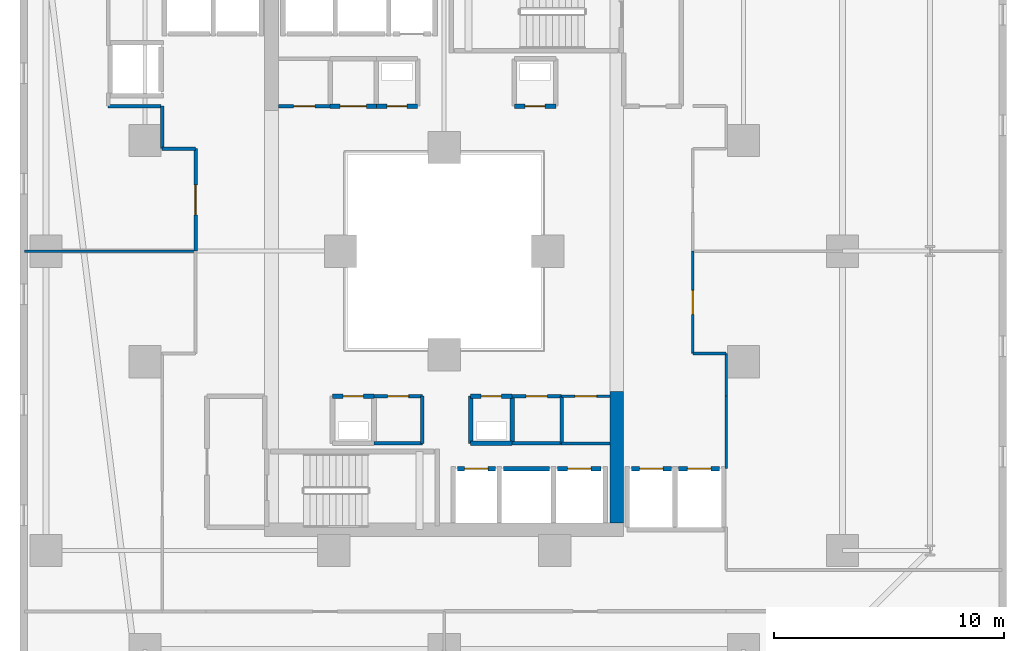
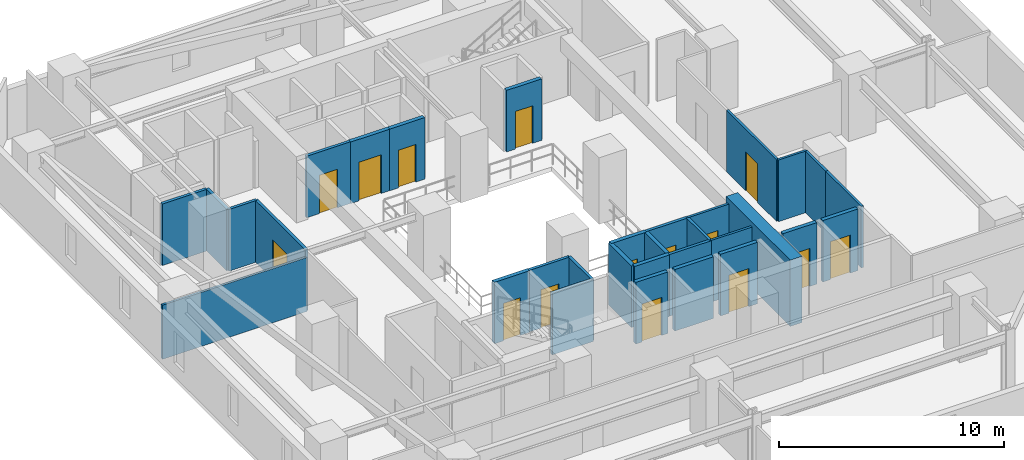
# One storey, part 21 of 34: 32 walls, 15 doors, 15 openings.
"""IFC4 building model written with IfcOpenShell, lengths in metres."""

import ifcopenshell
import ifcopenshell.guid

model = None  # the IFC model being written
_history = None  # IfcOwnerHistory: only IFC2X3 demands one
_inside = {}  # id of a spatial element -> (the spatial element, [elements in it])
_under = {}  # id of a project, library or spatial element -> (it, [spatial elements below it])
_declared = {}  # id of a project -> (the project, [libraries it declares])
_typed = {}  # id of a type object -> (the type object, [elements of that type])
_made_of = {}  # id of a material, layer set ... -> (it, [elements and type objects made of it])


def new_model(schema):
    """Start an empty IFC model of exactly this schema.

    Asked for "IFC4X3", IfcOpenShell would pick the latest addendum, in which some entities
    have other attributes; the version numbers below select the first issue.
    IFC2X3 requires an IfcOwnerHistory on every rooted entity: one is made here for all.
    """
    global model, _history
    if schema == "IFC4X3":
        model = ifcopenshell.file(schema_version=(4, 3, 0, 0))
    else:
        model = ifcopenshell.file(schema=schema)
    _inside.clear()
    _under.clear()
    _declared.clear()
    _typed.clear()
    _made_of.clear()
    _history = None
    if model.schema == "IFC2X3":
        org = make("IfcOrganization", Name="unknown")
        user = make(
            "IfcPersonAndOrganization",
            ThePerson=make("IfcPerson", FamilyName="unknown"),
            TheOrganization=org,
        )
        app = make(
            "IfcApplication",
            ApplicationDeveloper=org,
            Version="unknown",
            ApplicationFullName="unknown",
            ApplicationIdentifier="unknown",
        )
        _history = make(
            "IfcOwnerHistory",
            OwningUser=user,
            OwningApplication=app,
            ChangeAction="ADDED",
            CreationDate=0,
        )
    return model


def make(cls, **values):
    """One entity of the class cls with the attributes given. An attribute that is None is left unset."""
    return model.create_entity(
        cls, **{name: value for name, value in values.items() if value is not None}
    )


def rooted(cls, **values):
    """An entity with a GlobalId (a new one), such as an element, a storey or a relation."""
    return make(cls, GlobalId=ifcopenshell.guid.new(), OwnerHistory=_history, **values)


def si_unit(unit_type, name, prefix=None):
    """IfcSIUnit, for example si_unit("LENGTHUNIT", "METRE", prefix="MILLI")."""
    return make("IfcSIUnit", UnitType=unit_type, Prefix=prefix, Name=name)


def assignment(units):
    """IfcUnitAssignment: the units of a project."""
    return None if units is None else make("IfcUnitAssignment", Units=units)


def point(xyz):
    """IfcCartesianPoint."""
    return None if xyz is None else make("IfcCartesianPoint", Coordinates=xyz)


def direction(xyz):
    """IfcDirection."""
    return None if xyz is None else make("IfcDirection", DirectionRatios=xyz)


def frame(location, z_axis=None, x_axis=None):
    """IfcAxis2Placement3D, a coordinate frame: its origin and axes. An axis left out is left unset."""
    return make(
        "IfcAxis2Placement3D",
        Location=point(location),
        Axis=direction(z_axis),
        RefDirection=direction(x_axis),
    )


def frame_2d(location, x_axis=None):
    """IfcAxis2Placement2D, a coordinate frame in the plane: its origin and x axis."""
    return make(
        "IfcAxis2Placement2D", Location=point(location), RefDirection=direction(x_axis)
    )


def origin():
    """The frame at (0, 0, 0) with its axes left unset."""
    return frame((0.0, 0.0, 0.0))


def place(relative_to, where):
    """IfcLocalPlacement: puts the frame where relative to a parent placement (None: the world)."""
    return make(
        "IfcLocalPlacement", PlacementRelTo=relative_to, RelativePlacement=where
    )


def context(
    kind, dimensions, precision=None, world=None, true_north=None, identifier=None
):
    """IfcGeometricRepresentationContext, for example the 3D "Model" context."""
    return make(
        "IfcGeometricRepresentationContext",
        ContextIdentifier=identifier,
        ContextType=kind,
        CoordinateSpaceDimension=dimensions,
        Precision=precision,
        WorldCoordinateSystem=world,
        TrueNorth=true_north,
    )


def subcontext(parent, identifier, kind, view, scale=None):
    """IfcGeometricRepresentationSubContext, for example "Body" below "Model"."""
    return make(
        "IfcGeometricRepresentationSubContext",
        ContextIdentifier=identifier,
        ContextType=kind,
        ParentContext=parent,
        TargetScale=scale,
        TargetView=view,
    )


def project(units=None, contexts=None):
    """IfcProject with its units and contexts."""
    return rooted(
        "IfcProject",
        Name="project",
        RepresentationContexts=contexts,
        UnitsInContext=assignment(units),
    )


def spatial(cls, under=None, at=None, **own):
    """A site, building, storey or space (cls), placed at a placement, below another one or the project."""
    s = rooted(cls, ObjectPlacement=at, **own)
    if under is not None:
        _under.setdefault(under.id(), (under, []))[1].append(s)
    return s


def profile(cls, at=None, kind="AREA", **sizes):
    """A parametric profile (cls). Its sizes go by their IFC names, for example OverallWidth=200.0."""
    return make(cls, ProfileType=kind, Position=at, **sizes)


def rectangle(**sizes):
    """IfcRectangleProfileDef."""
    return profile("IfcRectangleProfileDef", **sizes)


def extrude(swept, where, along, depth):
    """IfcExtrudedAreaSolid: the profile swept, set in the frame where, extruded along a direction by depth."""
    return make(
        "IfcExtrudedAreaSolid",
        SweptArea=swept,
        Position=where,
        ExtrudedDirection=direction(along),
        Depth=depth,
    )


def shape(context_of_items, identifier, shape_type, items):
    """IfcShapeRepresentation: the items that make up one representation, for example the "Body"."""
    return make(
        "IfcShapeRepresentation",
        ContextOfItems=context_of_items,
        RepresentationIdentifier=identifier,
        RepresentationType=shape_type,
        Items=items,
    )


def material(Name=None, Category=None):
    """IfcMaterial."""
    return make("IfcMaterial", Name=Name, Category=Category)


def layer(
    of_material, thickness, ventilated=None, Name=None, Category=None, Priority=None
):
    """IfcMaterialLayer: one layer of a wall or slab, of a material (None: an air gap)."""
    return make(
        "IfcMaterialLayer",
        Material=of_material,
        LayerThickness=thickness,
        IsVentilated=ventilated,
        Name=Name,
        Category=Category,
        Priority=Priority,
    )


def layer_set(layers, Name=None):
    """IfcMaterialLayerSet."""
    return make("IfcMaterialLayerSet", MaterialLayers=layers, LayerSetName=Name)


def made_of(thing, what):
    """Note that an element or type object is made of a material, layer set ...; save() writes the relation."""
    if what is not None:
        _made_of.setdefault(what.id(), (what, []))[1].append(thing)
    return thing


def type_object(cls, material=None, **own):
    """A type object (cls), such as IfcWallType, which elements share."""
    return made_of(rooted(cls, **own), material)


def element(
    cls,
    number,
    at=None,
    inside=None,
    cuts=None,
    type_object=None,
    material=None,
    context=None,
    identifier="Body",
    shape_type=None,
    held_by="IfcProductDefinitionShape",
    body=None,
    shapes=None,
    **own,
):
    """One element of the class cls, such as IfcWall. Its Tag is "e" and its number.

    at: its placement. inside: the storey or other place that contains it. cuts: it is an
    opening in that element (IfcRelVoidsElement). A single representation is given by context,
    identifier, shape_type and body (its items); several are given by shapes. held_by: the class
    of the entity that holds the representations. save() writes the other relations.
    """
    e = rooted(cls, Tag="e%d" % number, ObjectPlacement=at, **own)
    if body is not None:
        shapes = [shape(context, identifier, shape_type, body)]
    if shapes is not None:
        e.Representation = make(held_by, Representations=shapes)
    if inside is not None:
        _inside.setdefault(inside.id(), (inside, []))[1].append(e)
    if cuts is not None:
        rooted(
            "IfcRelVoidsElement", RelatingBuildingElement=cuts, RelatedOpeningElement=e
        )
    if type_object is not None:
        _typed.setdefault(type_object.id(), (type_object, []))[1].append(e)
    return made_of(e, material)


def fill(opening, filler):
    """IfcRelFillsElement: the door or window that sits in an opening."""
    return rooted(
        "IfcRelFillsElement",
        RelatingOpeningElement=opening,
        RelatedBuildingElement=filler,
    )


def aggregate(whole, parts):
    """IfcRelAggregates: a whole, such as a stair, and the parts it consists of."""
    return rooted("IfcRelAggregates", RelatingObject=whole, RelatedObjects=parts)


def save(model, path):
    """Write the relations noted so far, then the file.

    IfcRelAggregates (storeys below a building ...), IfcRelContainedInSpatialStructure (elements
    in a storey), IfcRelDefinesByType, IfcRelAssociatesMaterial and IfcRelDeclares: one each for
    every whole, place, type object, material and project.
    """
    for whole, parts in _under.values():
        aggregate(whole, parts)
    for where, things in _inside.values():
        rooted(
            "IfcRelContainedInSpatialStructure",
            RelatedElements=things,
            RelatingStructure=where,
        )
    for kind, things in _typed.values():
        rooted("IfcRelDefinesByType", RelatedObjects=things, RelatingType=kind)
    for what, things in _made_of.values():
        rooted("IfcRelAssociatesMaterial", RelatedObjects=things, RelatingMaterial=what)
    for by, libraries in _declared.values():
        rooted("IfcRelDeclares", RelatingContext=by, RelatedDefinitions=libraries)
    model.write(path)


model = new_model("IFC4")

# Units and contexts
model_context = context("Model", 3, precision=1e-05, world=origin(), true_north=direction((0.0, 1.0)))
body_context = subcontext(model_context, "Body", "Model", "MODEL_VIEW")
ifc_project = project(units=[si_unit("LENGTHUNIT", "METRE"), si_unit("AREAUNIT", "SQUARE_METRE"), si_unit("VOLUMEUNIT", "CUBIC_METRE"), si_unit("PLANEANGLEUNIT", "RADIAN"), si_unit("MASSUNIT", "GRAM", prefix="KILO")], contexts=[model_context])

# Site, building, storey
site_placement = place(None, origin())
site = spatial("IfcSite", under=ifc_project, at=site_placement, CompositionType="ELEMENT")
building_placement = place(site_placement, origin())
building = spatial("IfcBuilding", under=site, at=building_placement, Name="Thornwick Lancets Civic Towers", CompositionType="ELEMENT")
storey_placement = place(building_placement, frame((0.0, 0.0, 53.699951171875)))
storey = spatial("IfcBuildingStorey", under=building, at=storey_placement, Name="L13", CompositionType="ELEMENT", Elevation=53.699951171875)

# Wall, opening, door
ifc_material_1 = material(Name="Concrete blockwork C40/50", Category="masonry")
ifc_layer_1 = layer(ifc_material_1, 0.199951171875, Name="Concrete blockwork C40/50")
ifc_layer_set_1 = layer_set([ifc_layer_1], Name="Concrete blockwork C40/50")
wall_type_1 = type_object("IfcWallType", Name="WALL_COMP_200", PredefinedType="STANDARD", material=ifc_layer_set_1)
wall_1_placement = place(storey_placement, frame((26.080078125, 17.550048828125, 0.0), z_axis=(0.0, 0.0, 1.0), x_axis=(1.0, 0.0, 0.0)))
wall_1 = element("IfcWall", 1, at=wall_1_placement, inside=storey, type_object=wall_type_1, Name="L13 Hoistway Front Wall FL-A1", PredefinedType="STANDARD", context=body_context, shape_type="SweptSolid", body=[
    extrude(rectangle(XDim=1.639892578125, YDim=0.199951171875, at=frame_2d((0.81982421875, 0.0))), origin(), (0.0, 0.0, 1.0), 3.340087890625),
])
opening_1_placement = place(wall_1_placement, frame((0.31005859375, 0.0, 0.0)))
opening_1 = element("IfcOpeningElement", 2, at=opening_1_placement, cuts=wall_1, Name="Opening LD-FL-A1", PredefinedType="OPENING", context=body_context, shape_type="SweptSolid", body=[
    extrude(rectangle(XDim=1.02001953125, YDim=2.06005859375, at=frame_2d((0.510009765625, 1.030029296875))), frame((0.0, 0.10986328125, 0.0), z_axis=(0.0, -1.0, 0.0), x_axis=(1.0, 0.0, 0.0)), (0.0, 0.0, 1.0), 0.219970703125),
])
ifc_material_2 = material(Name="Brushed bronze stainless steel", Category="steel")
door_type_1 = type_object("IfcDoorType", Name="DOOR_LIFT_SLIDE", OperationType="SLIDING_TO_LEFT", PredefinedType="DOOR", material=ifc_material_2)
door_1_placement = place(opening_1_placement, origin())
door_1 = element("IfcDoor", 3, at=door_1_placement, inside=storey, type_object=door_type_1, Name="L13 Sliding Lift Landing Door LD-FL-A1", OperationType="SLIDING_TO_LEFT", OverallHeight=2.06005859375, OverallWidth=1.02001953125, PredefinedType="DOOR", context=body_context, shape_type="SweptSolid", body=[
    extrude(rectangle(XDim=1.02001953125, YDim=2.06005859375, at=frame_2d((0.510009765625, 1.030029296875))), frame((0.0, 0.02490234375, 0.0), z_axis=(0.0, -1.0, 0.0), x_axis=(1.0, 0.0, 0.0)), (0.0, 0.0, 1.0), 0.050048828125),
])
fill(opening_1, door_1)

# Wall
wall_2_placement = place(storey_placement, frame((28.080078125, 17.550048828125, 0.0), z_axis=(0.0, 0.0, 1.0), x_axis=(1.0, 0.0, 0.0)))
element("IfcWall", 4, at=wall_2_placement, inside=storey, type_object=wall_type_1, Name="L13 Hoistway Front Wall PL-AH1", PredefinedType="STANDARD", context=body_context, shape_type="SweptSolid", body=[
    extrude(rectangle(XDim=1.989990234375, YDim=0.199951171875, at=frame_2d((0.9951171875, 0.0))), origin(), (0.0, 0.0, 1.0), 3.340087890625),
])

# Wall, opening, door
wall_3_placement = place(storey_placement, frame((30.429931640625, 17.550048828125, 0.0), z_axis=(0.0, 0.0, 1.0), x_axis=(1.0, 0.0, 0.0)))
wall_3 = element("IfcWall", 5, at=wall_3_placement, inside=storey, type_object=wall_type_1, Name="L13 Hoistway Front Wall PL-AL1", PredefinedType="STANDARD", context=body_context, shape_type="SweptSolid", body=[
    extrude(rectangle(XDim=1.89013671875, YDim=0.199951171875, at=frame_2d((0.945068359375, 0.0))), origin(), (0.0, 0.0, 1.0), 3.340087890625),
])
opening_2_placement = place(wall_3_placement, frame((0.43505859375, 0.0, 0.0)))
opening_2 = element("IfcOpeningElement", 6, at=opening_2_placement, cuts=wall_3, Name="Opening LD-PL-AL1", PredefinedType="OPENING", context=body_context, shape_type="SweptSolid", body=[
    extrude(rectangle(XDim=1.02001953125, YDim=2.06005859375, at=frame_2d((0.510009765625, 1.030029296875))), frame((0.0, 0.10986328125, 0.0), z_axis=(0.0, -1.0, 0.0), x_axis=(1.0, 0.0, 0.0)), (0.0, 0.0, 1.0), 0.219970703125),
])
door_2_placement = place(opening_2_placement, origin())
door_2 = element("IfcDoor", 7, at=door_2_placement, inside=storey, type_object=door_type_1, Name="L13 Sliding Lift Landing Door LD-PL-AL1", OperationType="SLIDING_TO_LEFT", OverallHeight=2.06005859375, OverallWidth=1.02001953125, PredefinedType="DOOR", context=body_context, shape_type="SweptSolid", body=[
    extrude(rectangle(XDim=1.02001953125, YDim=2.06005859375, at=frame_2d((0.510009765625, 1.030029296875))), frame((0.0, 0.02490234375, 0.0), z_axis=(0.0, -1.0, 0.0), x_axis=(1.0, 0.0, 0.0)), (0.0, 0.0, 1.0), 0.050048828125),
])
fill(opening_2, door_2)

wall_4_placement = place(storey_placement, frame((33.6298828125, 17.550048828125, 0.0), z_axis=(0.0, 0.0, 1.0), x_axis=(1.0, 0.0, 0.0)))
wall_4 = element("IfcWall", 8, at=wall_4_placement, inside=storey, type_object=wall_type_1, Name="L13 Hoistway Front Wall PL-AL2", PredefinedType="STANDARD", context=body_context, shape_type="SweptSolid", body=[
    extrude(rectangle(XDim=1.740234375, YDim=0.199951171875, at=frame_2d((0.8701171875, 0.0))), origin(), (0.0, 0.0, 1.0), 3.340087890625),
])
opening_3_placement = place(wall_4_placement, frame((0.360107421875, 0.0, 0.0)))
opening_3 = element("IfcOpeningElement", 9, at=opening_3_placement, cuts=wall_4, Name="Opening LD-PL-AL2", PredefinedType="OPENING", context=body_context, shape_type="SweptSolid", body=[
    extrude(rectangle(XDim=1.02001953125, YDim=2.06005859375, at=frame_2d((0.510009765625, 1.030029296875))), frame((0.0, 0.10986328125, 0.0), z_axis=(0.0, -1.0, 0.0), x_axis=(1.0, 0.0, 0.0)), (0.0, 0.0, 1.0), 0.219970703125),
])
door_3_placement = place(opening_3_placement, origin())
door_3 = element("IfcDoor", 10, at=door_3_placement, inside=storey, type_object=door_type_1, Name="L13 Sliding Lift Landing Door LD-PL-AL2", OperationType="SLIDING_TO_LEFT", OverallHeight=2.06005859375, OverallWidth=1.02001953125, PredefinedType="DOOR", context=body_context, shape_type="SweptSolid", body=[
    extrude(rectangle(XDim=1.02001953125, YDim=2.06005859375, at=frame_2d((0.510009765625, 1.030029296875))), frame((0.0, 0.02490234375, 0.0), z_axis=(0.0, -1.0, 0.0), x_axis=(1.0, 0.0, 0.0)), (0.0, 0.0, 1.0), 0.050048828125),
])
fill(opening_3, door_3)

wall_5_placement = place(storey_placement, frame((35.679931640625, 17.550048828125, 0.0), z_axis=(0.0, 0.0, 1.0), x_axis=(1.0, 0.0, 0.0)))
wall_5 = element("IfcWall", 11, at=wall_5_placement, inside=storey, type_object=wall_type_1, Name="L13 Hoistway Front Wall PL-AL3", PredefinedType="STANDARD", context=body_context, shape_type="SweptSolid", body=[
    extrude(rectangle(XDim=1.7900390625, YDim=0.199951171875, at=frame_2d((0.89501953125, 0.0))), origin(), (0.0, 0.0, 1.0), 3.340087890625),
])
opening_4_placement = place(wall_5_placement, frame((0.385009765625, 0.0, 0.0)))
opening_4 = element("IfcOpeningElement", 12, at=opening_4_placement, cuts=wall_5, Name="Opening LD-PL-AL3", PredefinedType="OPENING", context=body_context, shape_type="SweptSolid", body=[
    extrude(rectangle(XDim=1.02001953125, YDim=2.06005859375, at=frame_2d((0.510009765625, 1.030029296875))), frame((0.0, 0.10986328125, 0.0), z_axis=(0.0, -1.0, 0.0), x_axis=(1.0, 0.0, 0.0)), (0.0, 0.0, 1.0), 0.219970703125),
])
door_4_placement = place(opening_4_placement, origin())
door_4 = element("IfcDoor", 13, at=door_4_placement, inside=storey, type_object=door_type_1, Name="L13 Sliding Lift Landing Door LD-PL-AL3", OperationType="SLIDING_TO_LEFT", OverallHeight=2.06005859375, OverallWidth=1.02001953125, PredefinedType="DOOR", context=body_context, shape_type="SweptSolid", body=[
    extrude(rectangle(XDim=1.02001953125, YDim=2.06005859375, at=frame_2d((0.510009765625, 1.030029296875))), frame((0.0, 0.02490234375, 0.0), z_axis=(0.0, -1.0, 0.0), x_axis=(1.0, 0.0, 0.0)), (0.0, 0.0, 1.0), 0.050048828125),
])
fill(opening_4, door_4)

# Walls
wall_6_placement = place(storey_placement, frame((26.64990234375, 18.64990234375, 0.0), z_axis=(0.0, 0.0, 1.0), x_axis=(1.0, 0.0, 0.0)))
element("IfcWall", 14, at=wall_6_placement, inside=storey, type_object=wall_type_1, Name="L13 Partition L13-A-DUCT1 E1", PredefinedType="STANDARD", context=body_context, shape_type="SweptSolid", body=[
    extrude(rectangle(XDim=1.800048828125, YDim=0.199951171875, at=frame_2d((0.89990234375, 0.0))), origin(), (0.0, 0.0, 1.0), 3.340087890625),
])
wall_7_placement = place(storey_placement, frame((28.449951171875, 18.64990234375, 0.0), z_axis=(0.0, 0.0, 1.0), x_axis=(0.0, 1.0, 0.0)))
element("IfcWall", 15, at=wall_7_placement, inside=storey, type_object=wall_type_1, Name="L13 Partition L13-A-DUCT1 E2", PredefinedType="STANDARD", context=body_context, shape_type="SweptSolid", body=[
    extrude(rectangle(XDim=2.050048828125, YDim=0.199951171875, at=frame_2d((1.02490234375, 0.0))), origin(), (0.0, 0.0, 1.0), 3.340087890625),
])

# Wall, opening, door
wall_8_placement = place(storey_placement, frame((28.449951171875, 20.699951171875, 0.0), z_axis=(0.0, 0.0, 1.0), x_axis=(-1.0, 0.0, 0.0)))
wall_8 = element("IfcWall", 16, at=wall_8_placement, inside=storey, type_object=wall_type_1, Name="L13 Partition L13-A-DUCT1 E3", PredefinedType="STANDARD", context=body_context, shape_type="SweptSolid", body=[
    extrude(rectangle(XDim=1.800048828125, YDim=0.199951171875, at=frame_2d((0.89990234375, 0.0))), origin(), (0.0, 0.0, 1.0), 3.340087890625),
])
opening_5_placement = place(wall_8_placement, frame((0.4599609375, 0.0, 0.0)))
opening_5 = element("IfcOpeningElement", 17, at=opening_5_placement, cuts=wall_8, Name="Opening D-L13-0627", PredefinedType="OPENING", context=body_context, shape_type="SweptSolid", body=[
    extrude(rectangle(XDim=0.8798828125, YDim=2.0400390625, at=frame_2d((0.43994140625, 1.02001953125))), frame((0.0, 0.10986328125, 0.0), z_axis=(0.0, -1.0, 0.0), x_axis=(1.0, 0.0, 0.0)), (0.0, 0.0, 1.0), 0.219970703125),
])
ifc_material_3 = material(Name="Steel riser access doorset", Category="steel")
door_type_2 = type_object("IfcDoorType", Name="DOOR_RISER_850", OperationType="NOTDEFINED", PredefinedType="DOOR", material=ifc_material_3)
door_5_placement = place(opening_5_placement, origin())
door_5 = element("IfcDoor", 18, at=door_5_placement, inside=storey, type_object=door_type_2, Name="L13 South Service Duct 1 Door", OperationType="SINGLE_SWING_RIGHT", OverallHeight=2.0400390625, OverallWidth=0.8798828125, PredefinedType="DOOR", context=body_context, shape_type="SweptSolid", body=[
    extrude(rectangle(XDim=0.8798828125, YDim=2.0400390625, at=frame_2d((0.43994140625, 1.02001953125))), frame((0.0, 0.02490234375, 0.0), z_axis=(0.0, -1.0, 0.0), x_axis=(1.0, 0.0, 0.0)), (0.0, 0.0, 1.0), 0.050048828125),
])
fill(opening_5, door_5)

# Wall
wall_9_placement = place(storey_placement, frame((26.64990234375, 20.699951171875, 0.0), z_axis=(0.0, 0.0, 1.0), x_axis=(0.0, -1.0, 0.0)))
element("IfcWall", 19, at=wall_9_placement, inside=storey, type_object=wall_type_1, Name="L13 Partition L13-A-DUCT1 E4", PredefinedType="STANDARD", context=body_context, shape_type="SweptSolid", body=[
    extrude(rectangle(XDim=2.050048828125, YDim=0.199951171875, at=frame_2d((1.02490234375, 0.0))), origin(), (0.0, 0.0, 1.0), 3.340087890625),
])

# Wall, opening, door
wall_10_placement = place(storey_placement, frame((22.449951171875, 20.699951171875, 0.0), z_axis=(0.0, 0.0, 1.0), x_axis=(-1.0, 0.0, 0.0)))
wall_10 = element("IfcWall", 20, at=wall_10_placement, inside=storey, type_object=wall_type_1, Name="L13 Partition L13-A-RISER1 E3", PredefinedType="STANDARD", context=body_context, shape_type="SweptSolid", body=[
    extrude(rectangle(XDim=1.800048828125, YDim=0.199951171875, at=frame_2d((0.89990234375, 0.0))), origin(), (0.0, 0.0, 1.0), 3.340087890625),
])
opening_6_placement = place(wall_10_placement, frame((0.4599609375, 0.0, 0.0)))
opening_6 = element("IfcOpeningElement", 21, at=opening_6_placement, cuts=wall_10, Name="Opening D-L13-0628", PredefinedType="OPENING", context=body_context, shape_type="SweptSolid", body=[
    extrude(rectangle(XDim=0.8798828125, YDim=2.0400390625, at=frame_2d((0.43994140625, 1.02001953125))), frame((0.0, 0.10986328125, 0.0), z_axis=(0.0, -1.0, 0.0), x_axis=(1.0, 0.0, 0.0)), (0.0, 0.0, 1.0), 0.219970703125),
])
door_6_placement = place(opening_6_placement, origin())
door_6 = element("IfcDoor", 22, at=door_6_placement, inside=storey, type_object=door_type_2, Name="L13 South Electrical Riser 1 Door", OperationType="SINGLE_SWING_LEFT", OverallHeight=2.0400390625, OverallWidth=0.8798828125, PredefinedType="DOOR", context=body_context, shape_type="SweptSolid", body=[
    extrude(rectangle(XDim=0.8798828125, YDim=2.0400390625, at=frame_2d((0.43994140625, 1.02001953125))), frame((0.0, 0.02490234375, 0.0), z_axis=(0.0, -1.0, 0.0), x_axis=(1.0, 0.0, 0.0)), (0.0, 0.0, 1.0), 0.050048828125),
])
fill(opening_6, door_6)

wall_11_placement = place(storey_placement, frame((22.550048828125, 33.300048828125, 0.0), z_axis=(0.0, 0.0, 1.0), x_axis=(1.0, 0.0, 0.0)))
wall_11 = element("IfcWall", 23, at=wall_11_placement, inside=storey, type_object=wall_type_1, Name="L13 Partition L13-A-DUCT2 E1", PredefinedType="STANDARD", context=body_context, shape_type="SweptSolid", body=[
    extrude(rectangle(XDim=1.800048828125, YDim=0.199951171875, at=frame_2d((0.89990234375, 0.0))), origin(), (0.0, 0.0, 1.0), 3.340087890625),
])
opening_7_placement = place(wall_11_placement, frame((0.4599609375, 0.0, 0.0)))
opening_7 = element("IfcOpeningElement", 24, at=opening_7_placement, cuts=wall_11, Name="Opening D-L13-0629", PredefinedType="OPENING", context=body_context, shape_type="SweptSolid", body=[
    extrude(rectangle(XDim=0.8798828125, YDim=2.0400390625, at=frame_2d((0.43994140625, 1.02001953125))), frame((0.0, 0.10986328125, 0.0), z_axis=(0.0, -1.0, 0.0), x_axis=(1.0, 0.0, 0.0)), (0.0, 0.0, 1.0), 0.219970703125),
])
door_7_placement = place(opening_7_placement, origin())
door_7 = element("IfcDoor", 25, at=door_7_placement, inside=storey, type_object=door_type_2, Name="L13 North Service Duct 2 Door", OperationType="SINGLE_SWING_RIGHT", OverallHeight=2.0400390625, OverallWidth=0.8798828125, PredefinedType="DOOR", context=body_context, shape_type="SweptSolid", body=[
    extrude(rectangle(XDim=0.8798828125, YDim=2.0400390625, at=frame_2d((0.43994140625, 1.02001953125))), frame((0.0, 0.02490234375, 0.0), z_axis=(0.0, -1.0, 0.0), x_axis=(1.0, 0.0, 0.0)), (0.0, 0.0, 1.0), 0.050048828125),
])
fill(opening_7, door_7)

wall_12_placement = place(storey_placement, frame((28.550048828125, 33.300048828125, 0.0), z_axis=(0.0, 0.0, 1.0), x_axis=(1.0, 0.0, 0.0)))
wall_12 = element("IfcWall", 26, at=wall_12_placement, inside=storey, type_object=wall_type_1, Name="L13 Partition L13-A-RISER2 E1", PredefinedType="STANDARD", context=body_context, shape_type="SweptSolid", body=[
    extrude(rectangle(XDim=1.800048828125, YDim=0.199951171875, at=frame_2d((0.89990234375, 0.0))), origin(), (0.0, 0.0, 1.0), 3.340087890625),
])
opening_8_placement = place(wall_12_placement, frame((0.4599609375, 0.0, 0.0)))
opening_8 = element("IfcOpeningElement", 27, at=opening_8_placement, cuts=wall_12, Name="Opening D-L13-0630", PredefinedType="OPENING", context=body_context, shape_type="SweptSolid", body=[
    extrude(rectangle(XDim=0.8798828125, YDim=2.0400390625, at=frame_2d((0.43994140625, 1.02001953125))), frame((0.0, 0.10986328125, 0.0), z_axis=(0.0, -1.0, 0.0), x_axis=(1.0, 0.0, 0.0)), (0.0, 0.0, 1.0), 0.219970703125),
])
door_8_placement = place(opening_8_placement, origin())
door_8 = element("IfcDoor", 28, at=door_8_placement, inside=storey, type_object=door_type_2, Name="L13 North Service Riser 2 Door", OperationType="SINGLE_SWING_LEFT", OverallHeight=2.0400390625, OverallWidth=0.8798828125, PredefinedType="DOOR", context=body_context, shape_type="SweptSolid", body=[
    extrude(rectangle(XDim=0.8798828125, YDim=2.0400390625, at=frame_2d((0.43994140625, 1.02001953125))), frame((0.0, 0.02490234375, 0.0), z_axis=(0.0, -1.0, 0.0), x_axis=(1.0, 0.0, 0.0)), (0.0, 0.0, 1.0), 0.050048828125),
])
fill(opening_8, door_8)

wall_13_placement = place(storey_placement, frame((22.550048828125, 33.300048828125, 0.0), z_axis=(0.0, 0.0, 1.0), x_axis=(-1.0, 0.0, 0.0)))
wall_13 = element("IfcWall", 29, at=wall_13_placement, inside=storey, type_object=wall_type_1, Name="L13 Partition L13-A-STR E4", PredefinedType="STANDARD", context=body_context, shape_type="SweptSolid", body=[
    extrude(rectangle(XDim=2.0, YDim=0.199951171875, at=frame_2d((1.0, 0.0))), origin(), (0.0, 0.0, 1.0), 3.340087890625),
])
opening_9_placement = place(wall_13_placement, frame((0.425048828125, 0.0, 0.0)))
opening_9 = element("IfcOpeningElement", 30, at=opening_9_placement, cuts=wall_13, Name="Opening D-L13-0635", PredefinedType="OPENING", context=body_context, shape_type="SweptSolid", body=[
    extrude(rectangle(XDim=1.14990234375, YDim=2.10009765625, at=frame_2d((0.574951171875, 1.050048828125))), frame((0.0, 0.10986328125, 0.0), z_axis=(0.0, -1.0, 0.0), x_axis=(1.0, 0.0, 0.0)), (0.0, 0.0, 1.0), 0.219970703125),
])
ifc_material_4 = material(Name="Glazed fire-resisting steel", Category="steel")
door_type_3 = type_object("IfcDoorType", Name="DOOR_LOBBY_FD60", OperationType="NOTDEFINED", PredefinedType="DOOR", material=ifc_material_4)
door_9_placement = place(opening_9_placement, origin())
door_9 = element("IfcDoor", 31, at=door_9_placement, inside=storey, type_object=door_type_3, Name="L13 Tower A Core Records Store Door", OperationType="SINGLE_SWING_RIGHT", OverallHeight=2.10009765625, OverallWidth=1.14990234375, PredefinedType="DOOR", context=body_context, shape_type="SweptSolid", body=[
    extrude(rectangle(XDim=1.14990234375, YDim=2.10009765625, at=frame_2d((0.574951171875, 1.050048828125))), frame((0.0, 0.02490234375, 0.0), z_axis=(0.0, -1.0, 0.0), x_axis=(1.0, 0.0, 0.0)), (0.0, 0.0, 1.0), 0.050048828125),
])
fill(opening_9, door_9)

# Walls
ifc_material_5 = material(Name="Concrete C60/75", Category="concrete")
ifc_layer_2 = layer(ifc_material_5, 0.60009765625, Name="Concrete C60/75")
ifc_layer_set_2 = layer_set([ifc_layer_2], Name="Concrete C60/75")
wall_type_2 = type_object("IfcWallType", Name="WALL_CORE_600", PredefinedType="SHEAR", material=ifc_layer_set_2)
wall_14_placement = place(storey_placement, frame((33.0, 15.199951171875, 0.0), z_axis=(0.0, 0.0, 1.0), x_axis=(0.0, 1.0, 0.0)))
element("IfcWall", 32, at=wall_14_placement, inside=storey, type_object=wall_type_2, Name="L13 Split Core A1 Shear Wall E", PredefinedType="SHEAR", context=body_context, shape_type="SweptSolid", body=[
    extrude(rectangle(XDim=5.699951171875, YDim=0.60009765625, at=frame_2d((2.85009765625, 0.0))), origin(), (0.0, 0.0, 1.0), 3.60009765625),
])
ifc_material_6 = material(Name="Acoustic gypsum board partition")
ifc_layer_3 = layer(ifc_material_6, 0.1201171875, Name="Acoustic gypsum board partition")
ifc_layer_set_3 = layer_set([ifc_layer_3], Name="Acoustic gypsum board partition")
wall_type_3 = type_object("IfcWallType", Name="WALL_PART_120", PredefinedType="PARTITIONING", material=ifc_layer_set_3)
wall_15_placement = place(storey_placement, frame((32.699951171875, 18.64990234375, 0.0), z_axis=(0.0, 0.0, 1.0), x_axis=(-1.0, 0.0, 0.0)))
element("IfcWall", 33, at=wall_15_placement, inside=storey, type_object=wall_type_3, Name="L13 Partition L13-A-ITR E2", PredefinedType="PARTITIONING", context=body_context, shape_type="SweptSolid", body=[
    extrude(rectangle(XDim=2.099853515625, YDim=0.1201171875, at=frame_2d((1.0498046875, 0.0))), origin(), (0.0, 0.0, 1.0), 3.340087890625),
])

# Wall, opening, door
wall_16_placement = place(storey_placement, frame((30.60009765625, 20.699951171875, 0.0), z_axis=(0.0, 0.0, 1.0), x_axis=(1.0, 0.0, 0.0)))
wall_16 = element("IfcWall", 34, at=wall_16_placement, inside=storey, type_object=wall_type_3, Name="L13 Partition L13-A-ITR E4", PredefinedType="PARTITIONING", context=body_context, shape_type="SweptSolid", body=[
    extrude(rectangle(XDim=2.099853515625, YDim=0.1201171875, at=frame_2d((1.0498046875, 0.0))), origin(), (0.0, 0.0, 1.0), 3.340087890625),
])
opening_10_placement = place(wall_16_placement, frame((0.574951171875, 0.0, 0.0)))
opening_10 = element("IfcOpeningElement", 35, at=opening_10_placement, cuts=wall_16, Name="Opening D-L13-0633", PredefinedType="OPENING", context=body_context, shape_type="SweptSolid", body=[
    extrude(rectangle(XDim=0.949951171875, YDim=2.10009765625, at=frame_2d((0.47509765625, 1.050048828125))), frame((0.0, 0.070068359375, 0.0), z_axis=(0.0, -1.0, 0.0), x_axis=(1.0, 0.0, 0.0)), (0.0, 0.0, 1.0), 0.14013671875),
])
ifc_material_7 = material(Name="European oak acoustic doorset")
door_type_4 = type_object("IfcDoorType", Name="DOOR_OFFICE_950", OperationType="NOTDEFINED", PredefinedType="DOOR", material=ifc_material_7)
door_10_placement = place(opening_10_placement, origin())
door_10 = element("IfcDoor", 36, at=door_10_placement, inside=storey, type_object=door_type_4, Name="L13 Tower A Comms Patch Room Door", OperationType="SINGLE_SWING_RIGHT", OverallHeight=2.10009765625, OverallWidth=0.949951171875, PredefinedType="DOOR", context=body_context, shape_type="SweptSolid", body=[
    extrude(rectangle(XDim=0.949951171875, YDim=2.10009765625, at=frame_2d((0.47509765625, 1.050048828125))), frame((0.0, 0.02490234375, 0.0), z_axis=(0.0, -1.0, 0.0), x_axis=(1.0, 0.0, 0.0)), (0.0, 0.0, 1.0), 0.050048828125),
])
fill(opening_10, door_10)

# Walls
wall_17_placement = place(storey_placement, frame((7.280029296875, 27.0, 0.0), z_axis=(0.0, 0.0, 1.0), x_axis=(1.0, 0.0, 0.0)))
element("IfcWall", 37, at=wall_17_placement, inside=storey, type_object=wall_type_3, Name="L13 Partition L13-A-W1 E7", PredefinedType="PARTITIONING", context=body_context, shape_type="SweptSolid", body=[
    extrude(rectangle(XDim=7.419921875, YDim=0.1201171875, at=frame_2d((3.7099609375, 0.0))), origin(), (0.0, 0.0, 1.0), 2.93212890625),
])
wall_18_placement = place(storey_placement, frame((37.75, 17.550048828125, 0.0), z_axis=(0.0, 0.0, 1.0), x_axis=(0.0, 1.0, 0.0)))
element("IfcWall", 38, at=wall_18_placement, inside=storey, type_object=wall_type_3, Name="L13 Partition L13-A-E1 E1", PredefinedType="PARTITIONING", context=body_context, shape_type="SweptSolid", body=[
    extrude(rectangle(XDim=3.14990234375, YDim=0.1201171875, at=frame_2d((1.574951171875, 0.0))), origin(), (0.0, 0.0, 1.0), 3.340087890625),
])
wall_19_placement = place(storey_placement, frame((37.75, 20.699951171875, 0.0), z_axis=(0.0, 0.0, 1.0), x_axis=(0.0, 1.0, 0.0)))
element("IfcWall", 39, at=wall_19_placement, inside=storey, type_object=wall_type_3, Name="L13 Partition L13-A-E1 E2", PredefinedType="PARTITIONING", context=body_context, shape_type="SweptSolid", body=[
    extrude(rectangle(XDim=1.85009765625, YDim=0.1201171875, at=frame_2d((0.925048828125, 0.0))), origin(), (0.0, 0.0, 1.0), 3.340087890625),
])
wall_20_placement = place(storey_placement, frame((37.75, 22.550048828125, 0.0), z_axis=(0.0, 0.0, 1.0), x_axis=(-1.0, 0.0, 0.0)))
element("IfcWall", 40, at=wall_20_placement, inside=storey, type_object=wall_type_3, Name="L13 Partition L13-A-E1 E3", PredefinedType="PARTITIONING", context=body_context, shape_type="SweptSolid", body=[
    extrude(rectangle(XDim=1.449951171875, YDim=0.1201171875, at=frame_2d((0.72509765625, 0.0))), origin(), (0.0, 0.0, 1.0), 3.340087890625),
])

# Wall, opening, door
wall_21_placement = place(storey_placement, frame((36.300048828125, 22.550048828125, 0.0), z_axis=(0.0, 0.0, 1.0), x_axis=(0.0, 1.0, 0.0)))
wall_21 = element("IfcWall", 41, at=wall_21_placement, inside=storey, type_object=wall_type_3, Name="L13 Partition L13-A-E1 E4", PredefinedType="PARTITIONING", context=body_context, shape_type="SweptSolid", body=[
    extrude(rectangle(XDim=4.449951171875, YDim=0.1201171875, at=frame_2d((2.22509765625, 0.0))), origin(), (0.0, 0.0, 1.0), 3.340087890625),
])
opening_11_placement = place(wall_21_placement, frame((1.699951171875, 0.0, 0.0)))
opening_11 = element("IfcOpeningElement", 42, at=opening_11_placement, cuts=wall_21, Name="Opening D-L13-0649", PredefinedType="OPENING", context=body_context, shape_type="SweptSolid", body=[
    extrude(rectangle(XDim=1.050048828125, YDim=2.10009765625, at=frame_2d((0.52490234375, 1.050048828125))), frame((0.0, 0.070068359375, 0.0), z_axis=(0.0, -1.0, 0.0), x_axis=(1.0, 0.0, 0.0)), (0.0, 0.0, 1.0), 0.14013671875),
])
ifc_material_8 = material(Name="Glazed European oak executive doorset")
door_type_5 = type_object("IfcDoorType", Name="DOOR_OFFICE_1050", OperationType="NOTDEFINED", PredefinedType="DOOR", material=ifc_material_8)
door_11_placement = place(opening_11_placement, origin())
door_11 = element("IfcDoor", 43, at=door_11_placement, inside=storey, type_object=door_type_5, Name="L13 Tower A Secretariat Open Office E1 Door", OperationType="SINGLE_SWING_RIGHT", OverallHeight=2.10009765625, OverallWidth=1.050048828125, PredefinedType="DOOR", context=body_context, shape_type="SweptSolid", body=[
    extrude(rectangle(XDim=1.050048828125, YDim=2.10009765625, at=frame_2d((0.52490234375, 1.050048828125))), frame((0.0, 0.02490234375, 0.0), z_axis=(0.0, -1.0, 0.0), x_axis=(1.0, 0.0, 0.0)), (0.0, 0.0, 1.0), 0.050048828125),
])
fill(opening_11, door_11)

# Walls
ifc_material_9 = material(Name="Twin-stud acoustic gypsum board")
ifc_layer_4 = layer(ifc_material_9, 0.14990234375, Name="Twin-stud acoustic gypsum board")
ifc_layer_set_4 = layer_set([ifc_layer_4], Name="Twin-stud acoustic gypsum board")
wall_type_4 = type_object("IfcWallType", Name="WALL_PART_150", PredefinedType="PARTITIONING", material=ifc_layer_set_4)
wall_22_placement = place(storey_placement, frame((24.550048828125, 20.699951171875, 0.0), z_axis=(0.0, 0.0, 1.0), x_axis=(0.0, -1.0, 0.0)))
element("IfcWall", 44, at=wall_22_placement, inside=storey, type_object=wall_type_4, Name="L13 Partition L13-A-MWC E1", PredefinedType="PARTITIONING", context=body_context, shape_type="SweptSolid", body=[
    extrude(rectangle(XDim=2.050048828125, YDim=0.14990234375, at=frame_2d((1.02490234375, 0.0))), origin(), (0.0, 0.0, 1.0), 3.340087890625),
])
wall_23_placement = place(storey_placement, frame((24.550048828125, 18.64990234375, 0.0), z_axis=(0.0, 0.0, 1.0), x_axis=(-1.0, 0.0, 0.0)))
element("IfcWall", 45, at=wall_23_placement, inside=storey, type_object=wall_type_4, Name="L13 Partition L13-A-MWC E2", PredefinedType="PARTITIONING", context=body_context, shape_type="SweptSolid", body=[
    extrude(rectangle(XDim=2.10009765625, YDim=0.14990234375, at=frame_2d((1.050048828125, 0.0))), origin(), (0.0, 0.0, 1.0), 3.340087890625),
])

# Wall, opening, door
wall_24_placement = place(storey_placement, frame((22.449951171875, 20.699951171875, 0.0), z_axis=(0.0, 0.0, 1.0), x_axis=(1.0, 0.0, 0.0)))
wall_24 = element("IfcWall", 46, at=wall_24_placement, inside=storey, type_object=wall_type_4, Name="L13 Partition L13-A-MWC E4", PredefinedType="PARTITIONING", context=body_context, shape_type="SweptSolid", body=[
    extrude(rectangle(XDim=2.10009765625, YDim=0.14990234375, at=frame_2d((1.050048828125, 0.0))), origin(), (0.0, 0.0, 1.0), 3.340087890625),
])
opening_12_placement = place(wall_24_placement, frame((0.590087890625, 0.0, 0.0)))
opening_12 = element("IfcOpeningElement", 47, at=opening_12_placement, cuts=wall_24, Name="Opening D-L13-0631", PredefinedType="OPENING", context=body_context, shape_type="SweptSolid", body=[
    extrude(rectangle(XDim=0.919921875, YDim=2.080078125, at=frame_2d((0.4599609375, 1.0400390625))), frame((0.0, 0.0849609375, 0.0), z_axis=(0.0, -1.0, 0.0), x_axis=(1.0, 0.0, 0.0)), (0.0, 0.0, 1.0), 0.169921875),
])
ifc_material_10 = material(Name="Moisture-resistant oak doorset")
door_type_6 = type_object("IfcDoorType", Name="DOOR_WC_900", OperationType="NOTDEFINED", PredefinedType="DOOR", material=ifc_material_10)
door_12_placement = place(opening_12_placement, origin())
door_12 = element("IfcDoor", 48, at=door_12_placement, inside=storey, type_object=door_type_6, Name="L13 Tower A Male WC Door", OperationType="SINGLE_SWING_RIGHT", OverallHeight=2.080078125, OverallWidth=0.919921875, PredefinedType="DOOR", context=body_context, shape_type="SweptSolid", body=[
    extrude(rectangle(XDim=0.919921875, YDim=2.080078125, at=frame_2d((0.4599609375, 1.0400390625))), frame((0.0, 0.02490234375, 0.0), z_axis=(0.0, -1.0, 0.0), x_axis=(1.0, 0.0, 0.0)), (0.0, 0.0, 1.0), 0.050048828125),
])
fill(opening_12, door_12)

# Walls
wall_25_placement = place(storey_placement, frame((30.60009765625, 20.699951171875, 0.0), z_axis=(0.0, 0.0, 1.0), x_axis=(0.0, -1.0, 0.0)))
element("IfcWall", 49, at=wall_25_placement, inside=storey, type_object=wall_type_4, Name="L13 Partition L13-A-FWC E1", PredefinedType="PARTITIONING", context=body_context, shape_type="SweptSolid", body=[
    extrude(rectangle(XDim=2.050048828125, YDim=0.14990234375, at=frame_2d((1.02490234375, 0.0))), origin(), (0.0, 0.0, 1.0), 3.340087890625),
])
wall_26_placement = place(storey_placement, frame((30.60009765625, 18.64990234375, 0.0), z_axis=(0.0, 0.0, 1.0), x_axis=(-1.0, 0.0, 0.0)))
element("IfcWall", 50, at=wall_26_placement, inside=storey, type_object=wall_type_4, Name="L13 Partition L13-A-FWC E2", PredefinedType="PARTITIONING", context=body_context, shape_type="SweptSolid", body=[
    extrude(rectangle(XDim=2.150146484375, YDim=0.14990234375, at=frame_2d((1.0751953125, 0.0))), origin(), (0.0, 0.0, 1.0), 3.340087890625),
])

# Wall, opening, door
wall_27_placement = place(storey_placement, frame((28.449951171875, 20.699951171875, 0.0), z_axis=(0.0, 0.0, 1.0), x_axis=(1.0, 0.0, 0.0)))
wall_27 = element("IfcWall", 51, at=wall_27_placement, inside=storey, type_object=wall_type_4, Name="L13 Partition L13-A-FWC E4", PredefinedType="PARTITIONING", context=body_context, shape_type="SweptSolid", body=[
    extrude(rectangle(XDim=2.150146484375, YDim=0.14990234375, at=frame_2d((1.0751953125, 0.0))), origin(), (0.0, 0.0, 1.0), 3.340087890625),
])
opening_13_placement = place(wall_27_placement, frame((0.614990234375, 0.0, 0.0)))
opening_13 = element("IfcOpeningElement", 52, at=opening_13_placement, cuts=wall_27, Name="Opening D-L13-0632", PredefinedType="OPENING", context=body_context, shape_type="SweptSolid", body=[
    extrude(rectangle(XDim=0.919921875, YDim=2.080078125, at=frame_2d((0.4599609375, 1.0400390625))), frame((0.0, 0.0849609375, 0.0), z_axis=(0.0, -1.0, 0.0), x_axis=(1.0, 0.0, 0.0)), (0.0, 0.0, 1.0), 0.169921875),
])
door_13_placement = place(opening_13_placement, origin())
door_13 = element("IfcDoor", 53, at=door_13_placement, inside=storey, type_object=door_type_6, Name="L13 Tower A Female WC Door", OperationType="SINGLE_SWING_LEFT", OverallHeight=2.080078125, OverallWidth=0.919921875, PredefinedType="DOOR", context=body_context, shape_type="SweptSolid", body=[
    extrude(rectangle(XDim=0.919921875, YDim=2.080078125, at=frame_2d((0.4599609375, 1.0400390625))), frame((0.0, 0.02490234375, 0.0), z_axis=(0.0, -1.0, 0.0), x_axis=(1.0, 0.0, 0.0)), (0.0, 0.0, 1.0), 0.050048828125),
])
fill(opening_13, door_13)

wall_28_placement = place(storey_placement, frame((18.300048828125, 33.300048828125, 0.0), z_axis=(0.0, 0.0, 1.0), x_axis=(1.0, 0.0, 0.0)))
wall_28 = element("IfcWall", 54, at=wall_28_placement, inside=storey, type_object=wall_type_4, Name="L13 Partition L13-A-AWC E1", PredefinedType="PARTITIONING", context=body_context, shape_type="SweptSolid", body=[
    extrude(rectangle(XDim=2.25, YDim=0.14990234375, at=frame_2d((1.125, 0.0))), origin(), (0.0, 0.0, 1.0), 3.340087890625),
])
opening_14_placement = place(wall_28_placement, frame((0.6650390625, 0.0, 0.0)))
opening_14 = element("IfcOpeningElement", 55, at=opening_14_placement, cuts=wall_28, Name="Opening D-L13-0634", PredefinedType="OPENING", context=body_context, shape_type="SweptSolid", body=[
    extrude(rectangle(XDim=0.919921875, YDim=2.080078125, at=frame_2d((0.4599609375, 1.0400390625))), frame((0.0, 0.0849609375, 0.0), z_axis=(0.0, -1.0, 0.0), x_axis=(1.0, 0.0, 0.0)), (0.0, 0.0, 1.0), 0.169921875),
])
door_14_placement = place(opening_14_placement, origin())
door_14 = element("IfcDoor", 56, at=door_14_placement, inside=storey, type_object=door_type_6, Name="L13 Tower A Accessible WC Door", OperationType="SINGLE_SWING_LEFT", OverallHeight=2.080078125, OverallWidth=0.919921875, PredefinedType="DOOR", context=body_context, shape_type="SweptSolid", body=[
    extrude(rectangle(XDim=0.919921875, YDim=2.080078125, at=frame_2d((0.4599609375, 1.0400390625))), frame((0.0, 0.02490234375, 0.0), z_axis=(0.0, -1.0, 0.0), x_axis=(1.0, 0.0, 0.0)), (0.0, 0.0, 1.0), 0.050048828125),
])
fill(opening_14, door_14)

# Walls
wall_29_placement = place(storey_placement, frame((13.25, 33.300048828125, 0.0), z_axis=(0.0, 0.0, 1.0), x_axis=(0.0, -1.0, 0.0)))
element("IfcWall", 57, at=wall_29_placement, inside=storey, type_object=wall_type_4, Name="L13 Partition L13-A-W2 E2", PredefinedType="PARTITIONING", context=body_context, shape_type="SweptSolid", body=[
    extrude(rectangle(XDim=1.85009765625, YDim=0.14990234375, at=frame_2d((0.925048828125, 0.0))), origin(), (0.0, 0.0, 1.0), 3.340087890625),
])
wall_30_placement = place(storey_placement, frame((13.25, 31.449951171875, 0.0), z_axis=(0.0, 0.0, 1.0), x_axis=(1.0, 0.0, 0.0)))
element("IfcWall", 58, at=wall_30_placement, inside=storey, type_object=wall_type_4, Name="L13 Partition L13-A-W2 E3", PredefinedType="PARTITIONING", context=body_context, shape_type="SweptSolid", body=[
    extrude(rectangle(XDim=1.449951171875, YDim=0.14990234375, at=frame_2d((0.72509765625, 0.0))), origin(), (0.0, 0.0, 1.0), 3.340087890625),
])

# Wall, opening, door
wall_31_placement = place(storey_placement, frame((14.699951171875, 31.449951171875, 0.0), z_axis=(0.0, 0.0, 1.0), x_axis=(0.0, -1.0, 0.0)))
wall_31 = element("IfcWall", 59, at=wall_31_placement, inside=storey, type_object=wall_type_4, Name="L13 Partition L13-A-W2 E4", PredefinedType="PARTITIONING", context=body_context, shape_type="SweptSolid", body=[
    extrude(rectangle(XDim=4.449951171875, YDim=0.14990234375, at=frame_2d((2.22509765625, 0.0))), origin(), (0.0, 0.0, 1.0), 3.340087890625),
])
opening_15_placement = place(wall_31_placement, frame((1.574951171875, 0.0, 0.0)))
opening_15 = element("IfcOpeningElement", 60, at=opening_15_placement, cuts=wall_31, Name="Opening D-L13-0648", PredefinedType="OPENING", context=body_context, shape_type="SweptSolid", body=[
    extrude(rectangle(XDim=1.300048828125, YDim=2.1201171875, at=frame_2d((0.64990234375, 1.06005859375))), frame((0.0, 0.0849609375, 0.0), z_axis=(0.0, -1.0, 0.0), x_axis=(1.0, 0.0, 0.0)), (0.0, 0.0, 1.0), 0.169921875),
])
ifc_material_11 = material(Name="Acoustic oak leaf-and-a-half doorset")
door_type_7 = type_object("IfcDoorType", Name="DOOR_MEET_1300", OperationType="DOUBLE_DOOR_SINGLE_SWING", PredefinedType="DOOR", material=ifc_material_11)
door_15_placement = place(opening_15_placement, origin())
door_15 = element("IfcDoor", 61, at=door_15_placement, inside=storey, type_object=door_type_7, Name="L13 Tower A Policy Briefing Room W2 Door", OperationType="DOUBLE_DOOR_SINGLE_SWING", OverallHeight=2.1201171875, OverallWidth=1.300048828125, PredefinedType="DOOR", context=body_context, shape_type="SweptSolid", body=[
    extrude(rectangle(XDim=1.300048828125, YDim=2.1201171875, at=frame_2d((0.64990234375, 1.06005859375))), frame((0.0, 0.02490234375, 0.0), z_axis=(0.0, -1.0, 0.0), x_axis=(1.0, 0.0, 0.0)), (0.0, 0.0, 1.0), 0.050048828125),
])
fill(opening_15, door_15)

# Wall
wall_32_placement = place(storey_placement, frame((10.89990234375, 33.300048828125, 0.0), z_axis=(0.0, 0.0, 1.0), x_axis=(1.0, 0.0, 0.0)))
element("IfcWall", 62, at=wall_32_placement, inside=storey, type_object=wall_type_4, Name="L13 Partition L13-A-W2 E10", PredefinedType="PARTITIONING", context=body_context, shape_type="SweptSolid", body=[
    extrude(rectangle(XDim=2.300048828125, YDim=0.14990234375, at=frame_2d((1.14990234375, 0.0))), origin(), (0.0, 0.0, 1.0), 3.340087890625),
])

save(model, "model.ifc")
